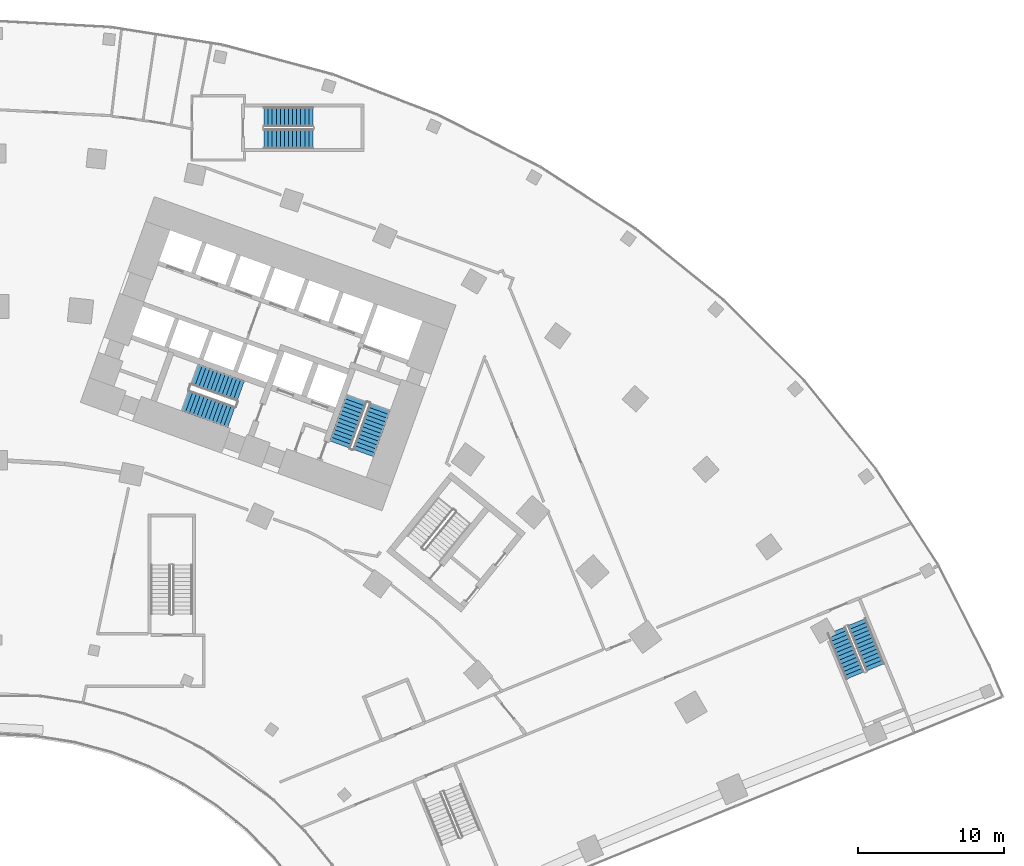
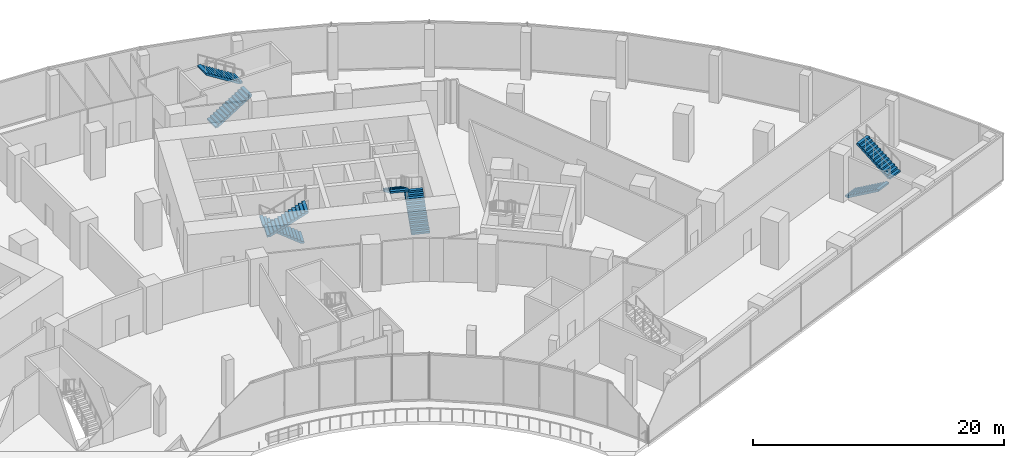
# One storey, part 31 of 39: 8 stair flights, 4 elements without a shape of their own.
"""IFC4 building model written with IfcOpenShell, lengths in metres."""

import ifcopenshell
import ifcopenshell.guid

model = None  # the IFC model being written
_history = None  # IfcOwnerHistory: only IFC2X3 demands one
_inside = {}  # id of a spatial element -> (the spatial element, [elements in it])
_under = {}  # id of a project, library or spatial element -> (it, [spatial elements below it])
_declared = {}  # id of a project -> (the project, [libraries it declares])
_typed = {}  # id of a type object -> (the type object, [elements of that type])
_made_of = {}  # id of a material, layer set ... -> (it, [elements and type objects made of it])


def new_model(schema):
    """Start an empty IFC model of exactly this schema.

    Asked for "IFC4X3", IfcOpenShell would pick the latest addendum, in which some entities
    have other attributes; the version numbers below select the first issue.
    IFC2X3 requires an IfcOwnerHistory on every rooted entity: one is made here for all.
    """
    global model, _history
    if schema == "IFC4X3":
        model = ifcopenshell.file(schema_version=(4, 3, 0, 0))
    else:
        model = ifcopenshell.file(schema=schema)
    _inside.clear()
    _under.clear()
    _declared.clear()
    _typed.clear()
    _made_of.clear()
    _history = None
    if model.schema == "IFC2X3":
        org = make("IfcOrganization", Name="unknown")
        user = make(
            "IfcPersonAndOrganization",
            ThePerson=make("IfcPerson", FamilyName="unknown"),
            TheOrganization=org,
        )
        app = make(
            "IfcApplication",
            ApplicationDeveloper=org,
            Version="unknown",
            ApplicationFullName="unknown",
            ApplicationIdentifier="unknown",
        )
        _history = make(
            "IfcOwnerHistory",
            OwningUser=user,
            OwningApplication=app,
            ChangeAction="ADDED",
            CreationDate=0,
        )
    return model


def make(cls, **values):
    """One entity of the class cls with the attributes given. An attribute that is None is left unset."""
    return model.create_entity(
        cls, **{name: value for name, value in values.items() if value is not None}
    )


def rooted(cls, **values):
    """An entity with a GlobalId (a new one), such as an element, a storey or a relation."""
    return make(cls, GlobalId=ifcopenshell.guid.new(), OwnerHistory=_history, **values)


def si_unit(unit_type, name, prefix=None):
    """IfcSIUnit, for example si_unit("LENGTHUNIT", "METRE", prefix="MILLI")."""
    return make("IfcSIUnit", UnitType=unit_type, Prefix=prefix, Name=name)


def assignment(units):
    """IfcUnitAssignment: the units of a project."""
    return None if units is None else make("IfcUnitAssignment", Units=units)


def point(xyz):
    """IfcCartesianPoint."""
    return None if xyz is None else make("IfcCartesianPoint", Coordinates=xyz)


def direction(xyz):
    """IfcDirection."""
    return None if xyz is None else make("IfcDirection", DirectionRatios=xyz)


def frame(location, z_axis=None, x_axis=None):
    """IfcAxis2Placement3D, a coordinate frame: its origin and axes. An axis left out is left unset."""
    return make(
        "IfcAxis2Placement3D",
        Location=point(location),
        Axis=direction(z_axis),
        RefDirection=direction(x_axis),
    )


def origin():
    """The frame at (0, 0, 0) with its axes left unset."""
    return frame((0.0, 0.0, 0.0))


def place(relative_to, where):
    """IfcLocalPlacement: puts the frame where relative to a parent placement (None: the world)."""
    return make(
        "IfcLocalPlacement", PlacementRelTo=relative_to, RelativePlacement=where
    )


def context(
    kind, dimensions, precision=None, world=None, true_north=None, identifier=None
):
    """IfcGeometricRepresentationContext, for example the 3D "Model" context."""
    return make(
        "IfcGeometricRepresentationContext",
        ContextIdentifier=identifier,
        ContextType=kind,
        CoordinateSpaceDimension=dimensions,
        Precision=precision,
        WorldCoordinateSystem=world,
        TrueNorth=true_north,
    )


def subcontext(parent, identifier, kind, view, scale=None):
    """IfcGeometricRepresentationSubContext, for example "Body" below "Model"."""
    return make(
        "IfcGeometricRepresentationSubContext",
        ContextIdentifier=identifier,
        ContextType=kind,
        ParentContext=parent,
        TargetScale=scale,
        TargetView=view,
    )


def project(units=None, contexts=None):
    """IfcProject with its units and contexts."""
    return rooted(
        "IfcProject",
        Name="project",
        RepresentationContexts=contexts,
        UnitsInContext=assignment(units),
    )


def spatial(cls, under=None, at=None, **own):
    """A site, building, storey or space (cls), placed at a placement, below another one or the project."""
    s = rooted(cls, ObjectPlacement=at, **own)
    if under is not None:
        _under.setdefault(under.id(), (under, []))[1].append(s)
    return s


def polyline(points):
    """IfcPolyline through the points."""
    return make("IfcPolyline", Points=[point(p) for p in points])


def outline(outer, holes=None, kind="AREA"):
    """IfcArbitraryClosedProfileDef: a profile drawn as a closed curve; with holes, ...WithVoids."""
    if holes is None:
        return make("IfcArbitraryClosedProfileDef", ProfileType=kind, OuterCurve=outer)
    return make(
        "IfcArbitraryProfileDefWithVoids",
        ProfileType=kind,
        OuterCurve=outer,
        InnerCurves=holes,
    )


def extrude(swept, where, along, depth):
    """IfcExtrudedAreaSolid: the profile swept, set in the frame where, extruded along a direction by depth."""
    return make(
        "IfcExtrudedAreaSolid",
        SweptArea=swept,
        Position=where,
        ExtrudedDirection=direction(along),
        Depth=depth,
    )


def shape(context_of_items, identifier, shape_type, items):
    """IfcShapeRepresentation: the items that make up one representation, for example the "Body"."""
    return make(
        "IfcShapeRepresentation",
        ContextOfItems=context_of_items,
        RepresentationIdentifier=identifier,
        RepresentationType=shape_type,
        Items=items,
    )


def material(Name=None, Category=None):
    """IfcMaterial."""
    return make("IfcMaterial", Name=Name, Category=Category)


def layer(
    of_material, thickness, ventilated=None, Name=None, Category=None, Priority=None
):
    """IfcMaterialLayer: one layer of a wall or slab, of a material (None: an air gap)."""
    return make(
        "IfcMaterialLayer",
        Material=of_material,
        LayerThickness=thickness,
        IsVentilated=ventilated,
        Name=Name,
        Category=Category,
        Priority=Priority,
    )


def layer_set(layers, Name=None):
    """IfcMaterialLayerSet."""
    return make("IfcMaterialLayerSet", MaterialLayers=layers, LayerSetName=Name)


def made_of(thing, what):
    """Note that an element or type object is made of a material, layer set ...; save() writes the relation."""
    if what is not None:
        _made_of.setdefault(what.id(), (what, []))[1].append(thing)
    return thing


def type_object(cls, material=None, **own):
    """A type object (cls), such as IfcWallType, which elements share."""
    return made_of(rooted(cls, **own), material)


def element(
    cls,
    number,
    at=None,
    inside=None,
    cuts=None,
    type_object=None,
    material=None,
    context=None,
    identifier="Body",
    shape_type=None,
    held_by="IfcProductDefinitionShape",
    body=None,
    shapes=None,
    **own,
):
    """One element of the class cls, such as IfcWall. Its Tag is "e" and its number.

    at: its placement. inside: the storey or other place that contains it. cuts: it is an
    opening in that element (IfcRelVoidsElement). A single representation is given by context,
    identifier, shape_type and body (its items); several are given by shapes. held_by: the class
    of the entity that holds the representations. save() writes the other relations.
    """
    e = rooted(cls, Tag="e%d" % number, ObjectPlacement=at, **own)
    if body is not None:
        shapes = [shape(context, identifier, shape_type, body)]
    if shapes is not None:
        e.Representation = make(held_by, Representations=shapes)
    if inside is not None:
        _inside.setdefault(inside.id(), (inside, []))[1].append(e)
    if cuts is not None:
        rooted(
            "IfcRelVoidsElement", RelatingBuildingElement=cuts, RelatedOpeningElement=e
        )
    if type_object is not None:
        _typed.setdefault(type_object.id(), (type_object, []))[1].append(e)
    return made_of(e, material)


def aggregate(whole, parts):
    """IfcRelAggregates: a whole, such as a stair, and the parts it consists of."""
    return rooted("IfcRelAggregates", RelatingObject=whole, RelatedObjects=parts)


def save(model, path):
    """Write the relations noted so far, then the file.

    IfcRelAggregates (storeys below a building ...), IfcRelContainedInSpatialStructure (elements
    in a storey), IfcRelDefinesByType, IfcRelAssociatesMaterial and IfcRelDeclares: one each for
    every whole, place, type object, material and project.
    """
    for whole, parts in _under.values():
        aggregate(whole, parts)
    for where, things in _inside.values():
        rooted(
            "IfcRelContainedInSpatialStructure",
            RelatedElements=things,
            RelatingStructure=where,
        )
    for kind, things in _typed.values():
        rooted("IfcRelDefinesByType", RelatedObjects=things, RelatingType=kind)
    for what, things in _made_of.values():
        rooted("IfcRelAssociatesMaterial", RelatedObjects=things, RelatingMaterial=what)
    for by, libraries in _declared.values():
        rooted("IfcRelDeclares", RelatingContext=by, RelatedDefinitions=libraries)
    model.write(path)


model = new_model("IFC4")

# Units and contexts
model_context = context("Model", 3, precision=1e-05, world=origin(), true_north=direction((0.0, 1.0)))
body_context = subcontext(model_context, "Body", "Model", "MODEL_VIEW")
ifc_project = project(units=[si_unit("LENGTHUNIT", "METRE"), si_unit("AREAUNIT", "SQUARE_METRE"), si_unit("VOLUMEUNIT", "CUBIC_METRE"), si_unit("PLANEANGLEUNIT", "RADIAN"), si_unit("MASSUNIT", "GRAM", prefix="KILO")], contexts=[model_context])

# Site, building, storey
site_placement = place(None, origin())
site = spatial("IfcSite", under=ifc_project, at=site_placement, CompositionType="ELEMENT")
building_placement = place(site_placement, origin())
building = spatial("IfcBuilding", under=site, at=building_placement, Name="Stone Belt Terrace Tower", CompositionType="ELEMENT")
storey_placement = place(building_placement, frame((0.0, 0.0, 20.800048828125)))
storey = spatial("IfcBuildingStorey", under=building, at=storey_placement, Name="L04", CompositionType="ELEMENT", Elevation=20.800048828125)

# Stair, stair flights
ifc_material_1 = material(Name="Concrete B30", Category="concrete")
stair_type_1 = type_object("IfcStairType", Name="Podium stair concrete B30", PredefinedType="HALF_TURN_STAIR", material=ifc_material_1)
stair_1_placement = place(storey_placement, origin())
stair_1 = element("IfcStair", 1, at=stair_1_placement, inside=storey, type_object=stair_type_1, Name="L04 podium exit stair 4", PredefinedType="HALF_TURN_STAIR")
ifc_layer = layer(ifc_material_1, 0.14990234375)
ifc_layer_set = layer_set([ifc_layer], Name="Podium stair flight concrete B30")
stair_flight_type_1 = type_object("IfcStairFlightType", Name="Podium stair flight concrete B30", PredefinedType="STRAIGHT", material=ifc_layer_set)
stair_flight_1_placement = place(storey_placement, frame((57.6259765625, 32.7724609375, 0.0), z_axis=(0.0, 0.0, 1.0), x_axis=(0.37924309334, -0.925297074541, 0.0)))
stair_flight_1 = element("IfcStairFlight", 2, at=stair_flight_1_placement, type_object=stair_flight_type_1, Name="PS4 flight 1", NumberOfRisers=13, NumberOfTreads=12, PredefinedType="STRAIGHT", RiserHeight=0.176923077, TreadLength=0.28, context=body_context, shape_type="SweptSolid", body=[
    extrude(outline(polyline([(0.0, 0.0), (0.0, 0.177001953125), (0.280029296875, 0.177001953125), (0.280029296875, 0.353759765625), (0.56005859375, 0.353759765625), (0.56005859375, 0.53076171875), (0.840087890625, 0.53076171875), (0.840087890625, 0.707763671875), (1.1201171875, 0.707763671875), (1.1201171875, 0.884521484375), (1.39990234375, 0.884521484375), (1.39990234375, 1.0615234375), (1.679931640625, 1.0615234375), (1.679931640625, 1.238525390625), (1.9599609375, 1.238525390625), (1.9599609375, 1.415283203125), (2.239990234375, 1.415283203125), (2.239990234375, 1.59228515625), (2.52001953125, 1.59228515625), (2.52001953125, 1.769287109375), (2.800048828125, 1.769287109375), (2.800048828125, 1.946044921875), (3.080078125, 1.946044921875), (3.080078125, 2.123046875), (3.360107421875, 2.123046875), (3.360107421875, 2.300048828125), (3.360107421875, 1.94580078125), (0.280517578125, 0.0), (0.0, 0.0)])), frame((0.0, 0.675048828125, 0.0), z_axis=(0.0, -1.0, 0.0), x_axis=(1.0, 0.0, 0.0)), (0.0, 0.0, 1.0), 1.35009765625),
])
stair_flight_2_placement = place(storey_placement, frame((60.288330078125, 30.232421875, 2.300048828125), z_axis=(0.0, 0.0, 1.0), x_axis=(-0.37924309334, 0.925297074541, 0.0)))
stair_flight_2 = element("IfcStairFlight", 3, at=stair_flight_2_placement, type_object=stair_flight_type_1, Name="PS4 flight 2", NumberOfRisers=13, NumberOfTreads=12, PredefinedType="STRAIGHT", RiserHeight=0.176923077, TreadLength=0.28, context=body_context, shape_type="SweptSolid", body=[
    extrude(outline(polyline([(0.0, 0.0), (0.0, 0.177001953125), (0.280029296875, 0.177001953125), (0.280029296875, 0.353759765625), (0.56005859375, 0.353759765625), (0.56005859375, 0.53076171875), (0.840087890625, 0.53076171875), (0.840087890625, 0.707763671875), (1.1201171875, 0.707763671875), (1.1201171875, 0.884521484375), (1.39990234375, 0.884521484375), (1.39990234375, 1.0615234375), (1.679931640625, 1.0615234375), (1.679931640625, 1.238525390625), (1.9599609375, 1.238525390625), (1.9599609375, 1.415283203125), (2.239990234375, 1.415283203125), (2.239990234375, 1.59228515625), (2.52001953125, 1.59228515625), (2.52001953125, 1.769287109375), (2.800048828125, 1.769287109375), (2.800048828125, 1.946044921875), (3.080078125, 1.946044921875), (3.080078125, 2.123046875), (3.360107421875, 2.123046875), (3.360107421875, 2.300048828125), (3.360107421875, 1.94580078125), (0.280517578125, 0.0), (0.0, 0.0)])), frame((0.0, 0.675048828125, 0.0), z_axis=(0.0, -1.0, 0.0), x_axis=(1.0, 0.0, 0.0)), (0.0, 0.0, 1.0), 1.35009765625),
])
aggregate(stair_1, [stair_flight_1, stair_flight_2])

stair_2_placement = place(storey_placement, origin())
stair_2 = element("IfcStair", 4, at=stair_2_placement, inside=storey, type_object=stair_type_1, Name="L04 podium exit stair 8", PredefinedType="HALF_TURN_STAIR")
stair_flight_3_placement = place(storey_placement, frame((18.340087890625, 66.5, 0.0), z_axis=(0.0, 0.0, 1.0), x_axis=(1.0, 0.0, 0.0)))
stair_flight_3 = element("IfcStairFlight", 5, at=stair_flight_3_placement, type_object=stair_flight_type_1, Name="PS8 flight 1", NumberOfRisers=13, NumberOfTreads=12, PredefinedType="STRAIGHT", RiserHeight=0.176923077, TreadLength=0.28, context=body_context, shape_type="SweptSolid", body=[
    extrude(outline(polyline([(0.0, 0.0), (0.0, 0.177001953125), (0.280029296875, 0.177001953125), (0.280029296875, 0.353759765625), (0.56005859375, 0.353759765625), (0.56005859375, 0.53076171875), (0.840087890625, 0.53076171875), (0.840087890625, 0.707763671875), (1.1201171875, 0.707763671875), (1.1201171875, 0.884521484375), (1.39990234375, 0.884521484375), (1.39990234375, 1.0615234375), (1.679931640625, 1.0615234375), (1.679931640625, 1.238525390625), (1.9599609375, 1.238525390625), (1.9599609375, 1.415283203125), (2.239990234375, 1.415283203125), (2.239990234375, 1.59228515625), (2.52001953125, 1.59228515625), (2.52001953125, 1.769287109375), (2.800048828125, 1.769287109375), (2.800048828125, 1.946044921875), (3.080078125, 1.946044921875), (3.080078125, 2.123046875), (3.360107421875, 2.123046875), (3.360107421875, 2.300048828125), (3.360107421875, 1.94580078125), (0.280517578125, 0.0), (0.0, 0.0)])), frame((0.0, 0.675048828125, 0.0), z_axis=(0.0, -1.0, 0.0), x_axis=(1.0, 0.0, 0.0)), (0.0, 0.0, 1.0), 1.35009765625),
])
stair_flight_4_placement = place(storey_placement, frame((21.699951171875, 68.0, 2.300048828125), z_axis=(0.0, 0.0, 1.0), x_axis=(-1.0, 0.0, 0.0)))
stair_flight_4 = element("IfcStairFlight", 6, at=stair_flight_4_placement, type_object=stair_flight_type_1, Name="PS8 flight 2", NumberOfRisers=13, NumberOfTreads=12, PredefinedType="STRAIGHT", RiserHeight=0.176923077, TreadLength=0.28, context=body_context, shape_type="SweptSolid", body=[
    extrude(outline(polyline([(0.0, 0.0), (0.0, 0.177001953125), (0.280029296875, 0.177001953125), (0.280029296875, 0.353759765625), (0.56005859375, 0.353759765625), (0.56005859375, 0.53076171875), (0.840087890625, 0.53076171875), (0.840087890625, 0.707763671875), (1.1201171875, 0.707763671875), (1.1201171875, 0.884521484375), (1.39990234375, 0.884521484375), (1.39990234375, 1.0615234375), (1.679931640625, 1.0615234375), (1.679931640625, 1.238525390625), (1.9599609375, 1.238525390625), (1.9599609375, 1.415283203125), (2.239990234375, 1.415283203125), (2.239990234375, 1.59228515625), (2.52001953125, 1.59228515625), (2.52001953125, 1.769287109375), (2.800048828125, 1.769287109375), (2.800048828125, 1.946044921875), (3.080078125, 1.946044921875), (3.080078125, 2.123046875), (3.360107421875, 2.123046875), (3.360107421875, 2.300048828125), (3.360107421875, 1.94580078125), (0.280517578125, 0.0), (0.0, 0.0)])), frame((0.0, 0.675048828125, 0.0), z_axis=(0.0, -1.0, 0.0), x_axis=(1.0, 0.0, 0.0)), (0.0, 0.0, 1.0), 1.35009765625),
])
aggregate(stair_2, [stair_flight_3, stair_flight_4])

ifc_material_2 = material(Name="Concrete B40", Category="concrete")
stair_type_2 = type_object("IfcStairType", Name="Exit stair 1500", PredefinedType="HALF_TURN_STAIR", material=ifc_material_2)
stair_3_placement = place(storey_placement, origin())
stair_3 = element("IfcStair", 7, at=stair_3_placement, inside=storey, type_object=stair_type_2, Name="L04 Exit stair 1 core B", PredefinedType="HALF_TURN_STAIR")
stair_flight_type_2 = type_object("IfcStairFlightType", Name="Stair flight 1500", PredefinedType="STRAIGHT", material=ifc_material_2)
stair_flight_5_placement = place(storey_placement, frame((25.15283203125, 44.9375, 0.0), z_axis=(0.0, 0.0, 1.0), x_axis=(0.338624396177, 0.940921632398, 0.0)))
stair_flight_5 = element("IfcStairFlight", 8, at=stair_flight_5_placement, type_object=stair_flight_type_2, Name="ST1B flight 1", NumberOfRisers=13, NumberOfTreads=12, PredefinedType="STRAIGHT", RiserHeight=0.176923077, TreadLength=0.28, context=body_context, shape_type="SweptSolid", body=[
    extrude(outline(polyline([(0.0, 0.0), (0.0, 0.177001953125), (0.280029296875, 0.177001953125), (0.280029296875, 0.353759765625), (0.56005859375, 0.353759765625), (0.56005859375, 0.53076171875), (0.840087890625, 0.53076171875), (0.840087890625, 0.707763671875), (1.1201171875, 0.707763671875), (1.1201171875, 0.884521484375), (1.39990234375, 0.884521484375), (1.39990234375, 1.0615234375), (1.679931640625, 1.0615234375), (1.679931640625, 1.238525390625), (1.9599609375, 1.238525390625), (1.9599609375, 1.415283203125), (2.239990234375, 1.415283203125), (2.239990234375, 1.59228515625), (2.52001953125, 1.59228515625), (2.52001953125, 1.769287109375), (2.800048828125, 1.769287109375), (2.800048828125, 1.946044921875), (3.080078125, 1.946044921875), (3.080078125, 2.123046875), (3.360107421875, 2.123046875), (3.360107421875, 2.300048828125), (3.360107421875, 1.94580078125), (0.280517578125, 0.0), (0.0, 0.0)])), frame((0.0, 0.75, 0.0), z_axis=(0.0, -1.0, 0.0), x_axis=(1.0, 0.0, 0.0)), (0.0, 0.0, 1.0), 1.5),
])
stair_flight_6_placement = place(storey_placement, frame((24.691162109375, 48.674560546875, 2.300048828125), z_axis=(0.0, 0.0, 1.0), x_axis=(-0.338624396177, -0.940921632398, 0.0)))
stair_flight_6 = element("IfcStairFlight", 9, at=stair_flight_6_placement, type_object=stair_flight_type_2, Name="ST1B flight 2", NumberOfRisers=13, NumberOfTreads=12, PredefinedType="STRAIGHT", RiserHeight=0.176923077, TreadLength=0.28, context=body_context, shape_type="SweptSolid", body=[
    extrude(outline(polyline([(0.0, 0.0), (0.0, 0.177001953125), (0.280029296875, 0.177001953125), (0.280029296875, 0.353759765625), (0.56005859375, 0.353759765625), (0.56005859375, 0.53076171875), (0.840087890625, 0.53076171875), (0.840087890625, 0.707763671875), (1.1201171875, 0.707763671875), (1.1201171875, 0.884521484375), (1.39990234375, 0.884521484375), (1.39990234375, 1.0615234375), (1.679931640625, 1.0615234375), (1.679931640625, 1.238525390625), (1.9599609375, 1.238525390625), (1.9599609375, 1.415283203125), (2.239990234375, 1.415283203125), (2.239990234375, 1.59228515625), (2.52001953125, 1.59228515625), (2.52001953125, 1.769287109375), (2.800048828125, 1.769287109375), (2.800048828125, 1.946044921875), (3.080078125, 1.946044921875), (3.080078125, 2.123046875), (3.360107421875, 2.123046875), (3.360107421875, 2.300048828125), (3.360107421875, 1.94580078125), (0.280517578125, 0.0), (0.0, 0.0)])), frame((0.0, 0.75, 0.0), z_axis=(0.0, -1.0, 0.0), x_axis=(1.0, 0.0, 0.0)), (0.0, 0.0, 1.0), 1.5),
])
aggregate(stair_3, [stair_flight_5, stair_flight_6])

stair_4_placement = place(storey_placement, origin())
stair_4 = element("IfcStair", 10, at=stair_4_placement, inside=storey, type_object=stair_type_2, Name="L04 Exit stair 2 core B", PredefinedType="HALF_TURN_STAIR")
stair_flight_7_placement = place(storey_placement, frame((16.74462890625, 49.185546875, 0.0), z_axis=(0.0, 0.0, 1.0), x_axis=(-0.940921632398, 0.338624396177, 0.0)))
stair_flight_7 = element("IfcStairFlight", 11, at=stair_flight_7_placement, type_object=stair_flight_type_2, Name="ST2B flight 1", NumberOfRisers=13, NumberOfTreads=12, PredefinedType="STRAIGHT", RiserHeight=0.176923077, TreadLength=0.28, context=body_context, shape_type="SweptSolid", body=[
    extrude(outline(polyline([(0.0, 0.0), (0.0, 0.177001953125), (0.280029296875, 0.177001953125), (0.280029296875, 0.353759765625), (0.56005859375, 0.353759765625), (0.56005859375, 0.53076171875), (0.840087890625, 0.53076171875), (0.840087890625, 0.707763671875), (1.1201171875, 0.707763671875), (1.1201171875, 0.884521484375), (1.39990234375, 0.884521484375), (1.39990234375, 1.0615234375), (1.679931640625, 1.0615234375), (1.679931640625, 1.238525390625), (1.9599609375, 1.238525390625), (1.9599609375, 1.415283203125), (2.239990234375, 1.415283203125), (2.239990234375, 1.59228515625), (2.52001953125, 1.59228515625), (2.52001953125, 1.769287109375), (2.800048828125, 1.769287109375), (2.800048828125, 1.946044921875), (3.080078125, 1.946044921875), (3.080078125, 2.123046875), (3.360107421875, 2.123046875), (3.360107421875, 2.300048828125), (3.360107421875, 1.94580078125), (0.280517578125, 0.0), (0.0, 0.0)])), frame((0.0, 0.75, 0.0), z_axis=(0.0, -1.0, 0.0), x_axis=(1.0, 0.0, 0.0)), (0.0, 0.0, 1.0), 1.5),
])
stair_flight_8_placement = place(storey_placement, frame((12.93994140625, 48.53564453125, 2.300048828125), z_axis=(0.0, 0.0, 1.0), x_axis=(0.940921632398, -0.338624396177, 0.0)))
stair_flight_8 = element("IfcStairFlight", 12, at=stair_flight_8_placement, type_object=stair_flight_type_2, Name="ST2B flight 2", NumberOfRisers=13, NumberOfTreads=12, PredefinedType="STRAIGHT", RiserHeight=0.176923077, TreadLength=0.28, context=body_context, shape_type="SweptSolid", body=[
    extrude(outline(polyline([(0.0, 0.0), (0.0, 0.177001953125), (0.280029296875, 0.177001953125), (0.280029296875, 0.353759765625), (0.56005859375, 0.353759765625), (0.56005859375, 0.53076171875), (0.840087890625, 0.53076171875), (0.840087890625, 0.707763671875), (1.1201171875, 0.707763671875), (1.1201171875, 0.884521484375), (1.39990234375, 0.884521484375), (1.39990234375, 1.0615234375), (1.679931640625, 1.0615234375), (1.679931640625, 1.238525390625), (1.9599609375, 1.238525390625), (1.9599609375, 1.415283203125), (2.239990234375, 1.415283203125), (2.239990234375, 1.59228515625), (2.52001953125, 1.59228515625), (2.52001953125, 1.769287109375), (2.800048828125, 1.769287109375), (2.800048828125, 1.946044921875), (3.080078125, 1.946044921875), (3.080078125, 2.123046875), (3.360107421875, 2.123046875), (3.360107421875, 2.300048828125), (3.360107421875, 1.94580078125), (0.280517578125, 0.0), (0.0, 0.0)])), frame((0.0, 0.75, 0.0), z_axis=(0.0, -1.0, 0.0), x_axis=(1.0, 0.0, 0.0)), (0.0, 0.0, 1.0), 1.5),
])
aggregate(stair_4, [stair_flight_7, stair_flight_8])

save(model, "model.ifc")
